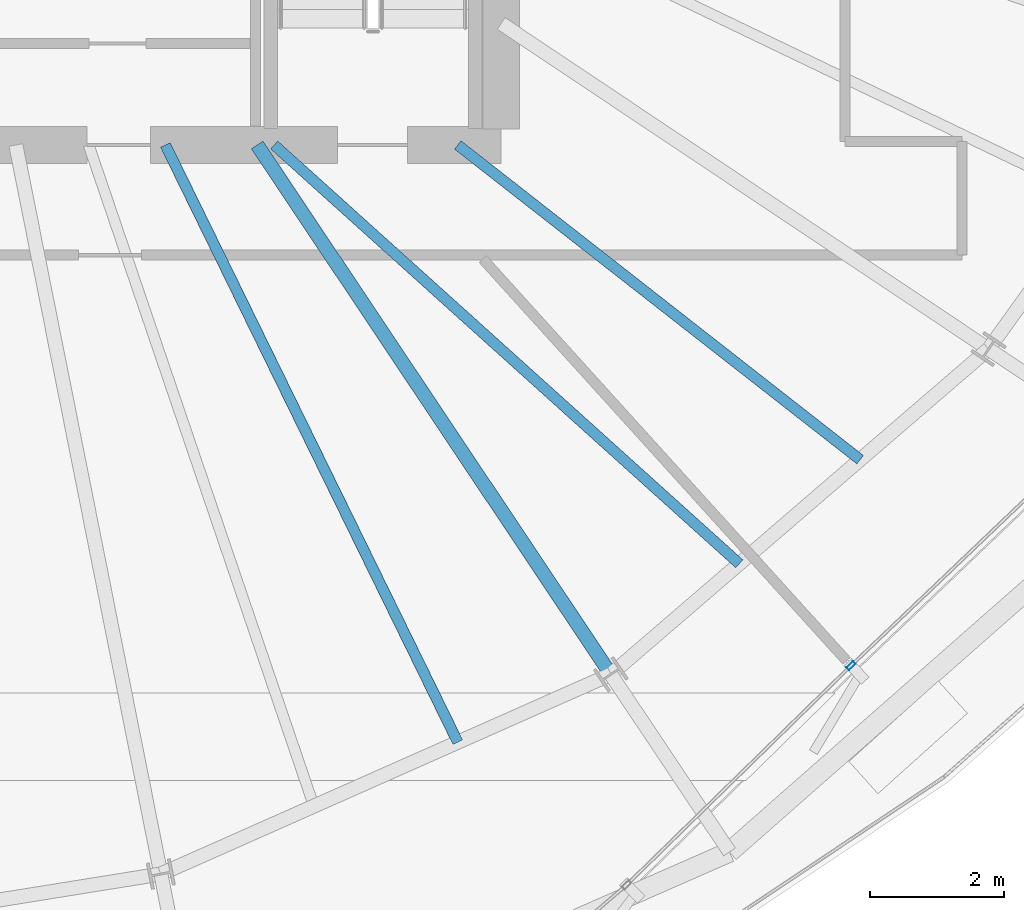
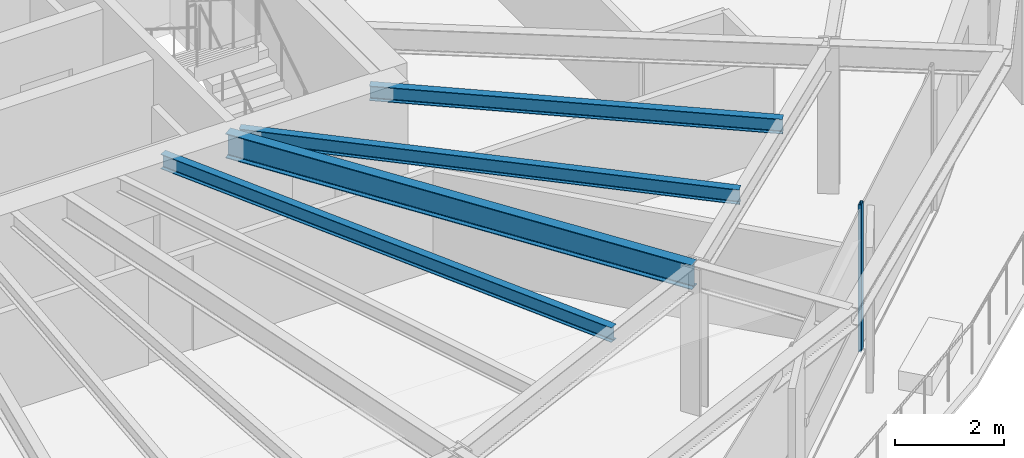
# One storey, part 13 of 34: 4 beams, 1 member, 1 element without a shape of its own.
"""IFC4 building model written with IfcOpenShell, lengths in metres."""

from ifc_helpers import new_model, si_unit, direction, frame, origin, origin_2d, place, context, subcontext, project, spatial, hollow_rectangle, i_section, extrude, source, transform, mapped, material, layer, layer_set, material_profile, profile_set, type_object, element, aggregate, save


model = new_model("IFC4")

# Units and contexts
model_context = context("Model", 3, precision=1e-05, world=origin(), true_north=direction((0.0, 1.0)))
body_context = subcontext(model_context, "Body", "Model", "MODEL_VIEW")
ifc_project = project(units=[si_unit("LENGTHUNIT", "METRE"), si_unit("AREAUNIT", "SQUARE_METRE"), si_unit("VOLUMEUNIT", "CUBIC_METRE"), si_unit("PLANEANGLEUNIT", "RADIAN"), si_unit("MASSUNIT", "GRAM", prefix="KILO"), si_unit("THERMODYNAMICTEMPERATUREUNIT", "KELVIN")], contexts=[model_context])

# Site, building, storey
site_placement = place(None, origin())
site = spatial("IfcSite", under=ifc_project, at=site_placement, CompositionType="ELEMENT")
building_placement = place(site_placement, origin())
building = spatial("IfcBuilding", under=site, at=building_placement, Name="Kethvar Cultural Tower", CompositionType="ELEMENT")
storey_placement = place(building_placement, frame((0.0, 0.0, 153.64990234375)))
storey = spatial("IfcBuildingStorey", under=building, at=storey_placement, Name="L39", CompositionType="ELEMENT", Elevation=153.64990234375)

# Beams
ifc_material_1 = material(Name="Steel S355J2", Category="steel")
ifc_material_profile_1 = material_profile(ifc_material_1, i_section(OverallWidth=0.2099609375, OverallDepth=0.550048828125, WebThickness=0.010986328125, FlangeThickness=0.01708984375, FilletRadius=0.02392578125, at=origin_2d()), Name="Steel S355J2 — IPE550")
ifc_profile_set_1 = profile_set([ifc_material_profile_1], Name="Steel S355J2 — IPE550")
beam_type_1 = type_object("IfcBeamType", Name="BM-IPE550", PredefinedType="BEAM", material=ifc_profile_set_1)
shared_shape_1 = source(origin(), body_context, "Body", "SweptSolid", [
    extrude(i_section(OverallWidth=0.2099609375, OverallDepth=0.550048828125, WebThickness=0.010986328125, FlangeThickness=0.01708984375, FilletRadius=0.02392578125, at=origin_2d()), origin(), (0.0, 0.0, 1.0), 9.534423828125),
])
beam_1_placement = place(storey_placement, frame((51.945068359375, 20.10009765625, 3.023193359375), z_axis=(0.555550817894, -0.831482584747, 0.0), x_axis=(0.831482584747, 0.555550817894, 0.0)))
element("IfcBeam", 1, at=beam_1_placement, inside=storey, type_object=beam_type_1, Name="L39 Primary Radial Beam RB-14", PredefinedType="BEAM", context=body_context, shape_type="MappedRepresentation", body=[
    mapped(shared_shape_1, transform((0.0, 0.0, 0.0), scale=1.0)),
])
ifc_material_profile_2 = material_profile(ifc_material_1, i_section(OverallWidth=0.159912109375, OverallDepth=0.330078125, WebThickness=0.007568359375, FlangeThickness=0.011474609375, FilletRadius=0.01806640625, at=origin_2d()), Name="Steel S355J2 — IPE330")
ifc_profile_set_2 = profile_set([ifc_material_profile_2], Name="Steel S355J2 — IPE330")
beam_type_2 = type_object("IfcBeamType", Name="BM-J330", PredefinedType="JOIST", material=ifc_profile_set_2)
shared_shape_2 = source(origin(), body_context, "Body", "SweptSolid", [
    extrude(i_section(OverallWidth=0.159912109375, OverallDepth=0.330078125, WebThickness=0.007568359375, FlangeThickness=0.011474609375, FilletRadius=0.01806640625, at=origin_2d()), origin(), (0.0, 0.0, 1.0), 9.959228515625),
])
beam_2_placement = place(storey_placement, frame((50.57080078125, 20.10009765625, 3.133056640625), z_axis=(0.439785134514, -0.898103020516, 0.0), x_axis=(0.898103020516, 0.439785134514, 0.0)))
element("IfcBeam", 2, at=beam_2_placement, inside=storey, type_object=beam_type_2, Name="L39 Composite Floor Joist J-13B", PredefinedType="JOIST", context=body_context, shape_type="MappedRepresentation", body=[
    mapped(shared_shape_2, transform((0.0, 0.0, 0.0), scale=1.0)),
])
shared_shape_3 = source(origin(), body_context, "Body", "SweptSolid", [
    extrude(i_section(OverallWidth=0.159912109375, OverallDepth=0.330078125, WebThickness=0.007568359375, FlangeThickness=0.011474609375, FilletRadius=0.01806640625, at=origin_2d()), origin(), (0.0, 0.0, 1.0), 9.372802734375),
])
beam_3_placement = place(storey_placement, frame((52.199951171875, 20.10009765625, 3.133056640625), z_axis=(0.743151656479, -0.669123019685, 0.0), x_axis=(0.669123019685, 0.743151656479, 0.0)))
element("IfcBeam", 3, at=beam_3_placement, inside=storey, type_object=beam_type_2, Name="L39 Composite Floor Joist J-14A", PredefinedType="JOIST", context=body_context, shape_type="MappedRepresentation", body=[
    mapped(shared_shape_3, transform((0.0, 0.0, 0.0), scale=1.0)),
])
shared_shape_4 = source(origin(), body_context, "Body", "SweptSolid", [
    extrude(i_section(OverallWidth=0.159912109375, OverallDepth=0.330078125, WebThickness=0.007568359375, FlangeThickness=0.011474609375, FilletRadius=0.01806640625, at=origin_2d()), origin(), (0.0, 0.0, 1.0), 7.649658203125),
])
beam_4_placement = place(storey_placement, frame((54.949951171875, 20.10009765625, 3.133056640625), z_axis=(0.787671994752, -0.616094821179, 0.0), x_axis=(0.616094821179, 0.787671994752, 0.0)))
element("IfcBeam", 4, at=beam_4_placement, inside=storey, type_object=beam_type_2, Name="L39 Composite Floor Joist J-14B", PredefinedType="JOIST", context=body_context, shape_type="MappedRepresentation", body=[
    mapped(shared_shape_4, transform((0.0, 0.0, 0.0), scale=1.0)),
])

# Curtain wall, member
ifc_material_2 = material(Name="Aluminium 6063-T6", Category="aluminium")
ifc_layer = layer(ifc_material_2, 0.179931640625, Name="Aluminium 6063-T6", Category="aluminium")
ifc_layer_set = layer_set([ifc_layer], Name="Aluminium 6063-T6 (180 mm)")
curtain_wall_type = type_object("IfcCurtainWallType", Name="CW-SYS-04-Z34", PredefinedType="NOTDEFINED", material=ifc_layer_set)
curtain_wall_placement = place(storey_placement, origin())
curtain_wall = element("IfcCurtainWall", 5, at=curtain_wall_placement, inside=storey, type_object=curtain_wall_type, Name="L39 Curtain Wall Run 05", PredefinedType="NOTDEFINED")
ifc_material_profile_3 = material_profile(ifc_material_2, hollow_rectangle(XDim=0.06005859375, YDim=0.139892578125, WallThickness=0.0048828125, at=origin_2d()), Name="Aluminium 6063-T6 — RHS140x60x5")
ifc_profile_set_3 = profile_set([ifc_material_profile_3], Name="Aluminium 6063-T6 — RHS140x60x5")
member_type = type_object("IfcMemberType", Name="CW-SYS-04-Z34-MUL", PredefinedType="MULLION", material=ifc_profile_set_3)
shared_shape_5 = source(origin(), body_context, "Body", "SweptSolid", [
    extrude(hollow_rectangle(XDim=0.06005859375, YDim=0.139892578125, WallThickness=0.0048828125, at=origin_2d()), origin(), (0.0, 0.0, 1.0), 3.300048828125),
])
member_placement = place(storey_placement, frame((60.838623046875, 12.302001953125, 0.0), z_axis=(0.0, 0.0, 1.0), x_axis=(-0.690213353263, 0.723605919667, 0.0)))
member = element("IfcMember", 6, at=member_placement, type_object=member_type, Name="CW-L39-R05 Mullion 5", PredefinedType="MULLION", context=body_context, shape_type="MappedRepresentation", body=[
    mapped(shared_shape_5, transform((0.0, 0.0, 0.0), scale=1.0)),
])
aggregate(curtain_wall, [member])

save(model, "model.ifc")
